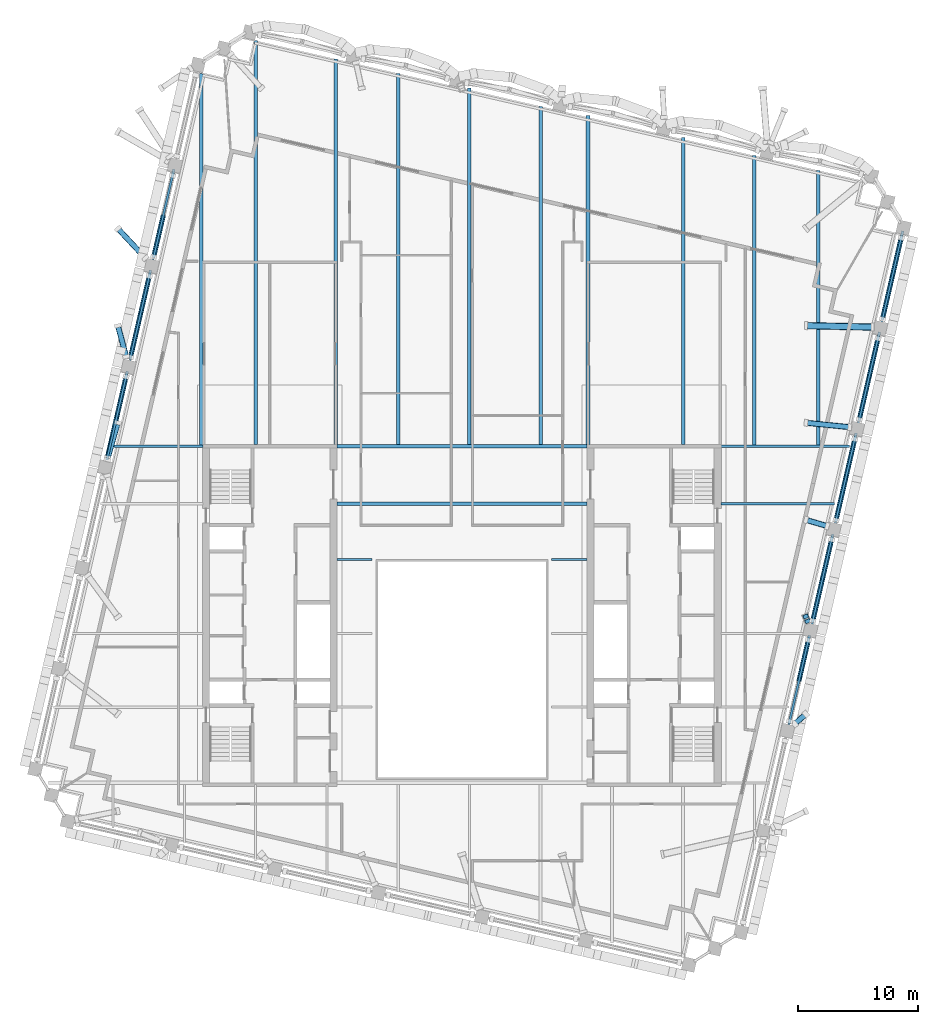
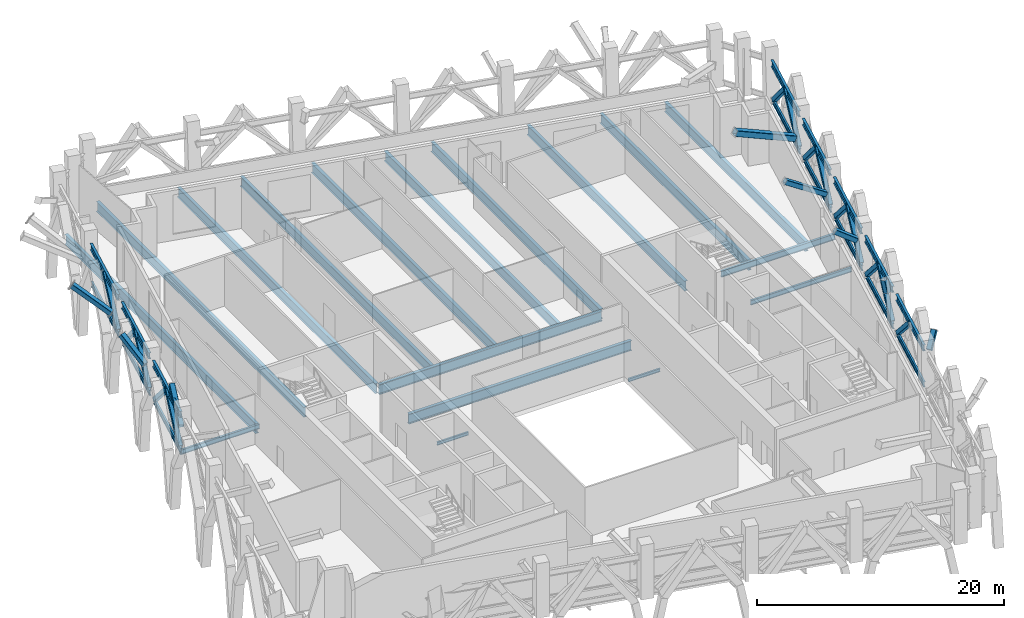
# One storey, part 3 of 19: 33 beams, 22 members.
"""IFC4 building model written with IfcOpenShell, lengths in metres."""

from ifc_helpers import new_model, si_unit, direction, frame, origin, origin_2d, place, context, subcontext, project, spatial, hollow_rectangle, i_section, extrude, material, material_profile, profile_set, type_object, element, save


model = new_model("IFC4")

# Units and contexts
model_context = context("Model", 3, precision=1e-05, world=origin(), true_north=direction((0.0, 1.0)))
body_context = subcontext(model_context, "Body", "Model", "MODEL_VIEW")
ifc_project = project(units=[si_unit("LENGTHUNIT", "METRE"), si_unit("AREAUNIT", "SQUARE_METRE"), si_unit("VOLUMEUNIT", "CUBIC_METRE"), si_unit("PLANEANGLEUNIT", "RADIAN"), si_unit("MASSUNIT", "GRAM", prefix="KILO")], contexts=[model_context])

# Site, building, storey
site_placement = place(None, origin())
site = spatial("IfcSite", under=ifc_project, at=site_placement, CompositionType="ELEMENT")
building_placement = place(site_placement, origin())
building = spatial("IfcBuilding", under=site, at=building_placement, Name="Ogive Exchange Tower", CompositionType="ELEMENT")
storey_placement = place(building_placement, frame((0.0, 0.0, 297.60009765625)))
storey = spatial("IfcBuildingStorey", under=building, at=storey_placement, Name="L65", CompositionType="ELEMENT", Elevation=297.60009765625)

# Beams
ifc_material_1 = material(Name="Steel ASTM A992 Gr50", Category="steel")
ifc_material_profile_1 = material_profile(ifc_material_1, i_section(OverallWidth=0.1669921875, OverallDepth=0.535888671875, WebThickness=0.01025390625, FlangeThickness=0.0166015625, at=origin_2d()), Name="W530x85")
ifc_profile_set_1 = profile_set([ifc_material_profile_1], Name="Steel ASTM A992 Gr50")
beam_type_1 = type_object("IfcBeamType", Name="Belt truss bottom chord W530x85", PredefinedType="BEAM", material=ifc_profile_set_1)
for number, where, z_axis, x_axis, name in (
    (1, (27.220947265625, 2.377685546875, 0.39990234375), (0.224939989916, 0.974372619144, 0.0), (-0.974372619144, 0.224939989916, 0.0), "Belt truss bottom chord 11"),
    (2, (29.15380859375, 10.749755859375, 0.39990234375), (0.224939989916, 0.974372619144, 0.0), (-0.974372619144, 0.224939989916, 0.0), "Belt truss bottom chord 12"),
):
    element("IfcBeam", number, at=place(storey_placement, frame(where, z_axis=z_axis, x_axis=x_axis)), inside=storey, type_object=beam_type_1, Name=name, PredefinedType="BEAM", context=body_context, shape_type="SweptSolid", body=[
        extrude(i_section(OverallWidth=0.1669921875, OverallDepth=0.535888671875, WebThickness=0.01025390625, FlangeThickness=0.0166015625, at=origin_2d()), origin(), (0.0, 0.0, 1.0), 7.532470703125),
    ])
for number, where, z_axis, x_axis, name in (
    (3, (31.086669921875, 19.121826171875, 0.39990234375), (0.224947094069, 0.974370979078, 0.0), (-0.974370979078, 0.224947094069, 0.0), "Belt truss bottom chord 13"),
    (4, (33.019287109375, 27.493896484375, 0.39990234375), (0.224977866715, 0.974363874273, 0.0), (-0.974363874273, 0.224977866715, 0.0), "Belt truss bottom chord 14"),
    (5, (34.952392578125, 35.86572265625, 0.39990234375), (0.224947094069, 0.974370979078, 0.0), (-0.974370979078, 0.224947094069, 0.0), "Belt truss bottom chord 15"),
    (6, (-24.040771484375, 48.3974609375, 0.39990234375), (-0.224947094069, -0.974370979078, 0.0), (0.974370979078, -0.224947094069, 0.0), "Belt truss bottom chord 27"),
    (7, (-25.973388671875, 40.025390625, 0.39990234375), (-0.224977866715, -0.974363874273, 0.0), (0.974363874273, -0.224977866715, 0.0), "Belt truss bottom chord 28"),
    (8, (-27.90625, 31.653564453125, 0.39990234375), (-0.224947094069, -0.974370979078, 0.0), (0.974370979078, -0.224947094069, 0.0), "Belt truss bottom chord 29"),
):
    element("IfcBeam", number, at=place(storey_placement, frame(where, z_axis=z_axis, x_axis=x_axis)), inside=storey, type_object=beam_type_1, Name=name, PredefinedType="BEAM", context=body_context, shape_type="SweptSolid", body=[
        extrude(i_section(OverallWidth=0.1669921875, OverallDepth=0.535888671875, WebThickness=0.01025390625, FlangeThickness=0.0166015625, at=origin_2d()), origin(), (0.0, 0.0, 1.0), 7.5322265625),
    ])

# Members
ifc_material_2 = material(Name="Steel ASTM A1085 Gr A", Category="steel")
ifc_material_profile_2 = material_profile(ifc_material_2, hollow_rectangle(XDim=0.406005859375, YDim=0.406005859375, WallThickness=0.01904296875, InnerFilletRadius=0.01904296875, OuterFilletRadius=0.0380859375, at=origin_2d()), Name="HSS406.4x406.4x19")
ifc_profile_set_2 = profile_set([ifc_material_profile_2], Name="Steel ASTM A1085 Gr A")
member_type_1 = type_object("IfcMemberType", Name="Belt truss diagonal HSS406.4x406.4x19", PredefinedType="BRACE", material=ifc_profile_set_2)
member_1_placement = place(storey_placement, frame((28.84912109375, 9.430419921875, 0.685302734375), z_axis=(-0.161405912836, -0.699164700993, 0.696503303788), x_axis=(0.974372806842, -0.224939176859, 0.0)))
element("IfcMember", 9, at=member_1_placement, inside=storey, type_object=member_type_1, Name="Belt truss diagonal 11b", PredefinedType="BRACE", context=body_context, shape_type="SweptSolid", body=[
    extrude(hollow_rectangle(XDim=0.406005859375, YDim=0.406005859375, WallThickness=0.01904296875, InnerFilletRadius=0.01904296875, OuterFilletRadius=0.0380859375, at=origin_2d()), origin(), (0.0, 0.0, 1.0), 4.678466796875),
])
member_2_placement = place(storey_placement, frame((29.224853515625, 11.057373046875, 0.6845703125), z_axis=(0.166965815077, 0.723367976711, 0.669971034348), x_axis=(-0.974380940806, 0.224903939924, 0.0)))
element("IfcMember", 10, at=member_2_placement, inside=storey, type_object=member_type_1, Name="Belt truss diagonal 12a", PredefinedType="BRACE", context=body_context, shape_type="SweptSolid", body=[
    extrude(hollow_rectangle(XDim=0.406005859375, YDim=0.406005859375, WallThickness=0.01904296875, InnerFilletRadius=0.01904296875, OuterFilletRadius=0.0380859375, at=origin_2d()), origin(), (0.0, 0.0, 1.0), 4.86474609375),
])
member_3_placement = place(storey_placement, frame((30.78271484375, 17.805908203125, 0.685302734375), z_axis=(-0.16041515478, -0.694817179905, 0.701067803159), x_axis=(0.97436884472, -0.224956338961, 0.0)))
element("IfcMember", 11, at=member_3_placement, inside=storey, type_object=member_type_1, Name="Belt truss diagonal 12b", PredefinedType="BRACE", context=body_context, shape_type="SweptSolid", body=[
    extrude(hollow_rectangle(XDim=0.406005859375, YDim=0.406005859375, WallThickness=0.01904296875, InnerFilletRadius=0.01904296875, OuterFilletRadius=0.0380859375, at=origin_2d()), origin(), (0.0, 0.0, 1.0), 4.64794921875),
])
member_4_placement = place(storey_placement, frame((31.158447265625, 19.4326171875, 0.6845703125), z_axis=(0.167878035348, 0.727155707607, 0.665628681881), x_axis=(-0.974369796791, 0.224952215153, 0.0)))
element("IfcMember", 12, at=member_4_placement, inside=storey, type_object=member_type_1, Name="Belt truss diagonal 13a", PredefinedType="BRACE", context=body_context, shape_type="SweptSolid", body=[
    extrude(hollow_rectangle(XDim=0.406005859375, YDim=0.406005859375, WallThickness=0.01904296875, InnerFilletRadius=0.01904296875, OuterFilletRadius=0.0380859375, at=origin_2d()), origin(), (0.0, 0.0, 1.0), 4.896484375),
])
member_5_placement = place(storey_placement, frame((32.716552734375, 26.181396484375, 0.685546875), z_axis=(-0.159404834236, -0.690437058137, 0.70561091798), x_axis=(0.974368555414, -0.224957592049, 0.0)))
element("IfcMember", 13, at=member_5_placement, inside=storey, type_object=member_type_1, Name="Belt truss diagonal 13b", PredefinedType="BRACE", context=body_context, shape_type="SweptSolid", body=[
    extrude(hollow_rectangle(XDim=0.406005859375, YDim=0.406005859375, WallThickness=0.01904296875, InnerFilletRadius=0.01904296875, OuterFilletRadius=0.0380859375, at=origin_2d()), origin(), (0.0, 0.0, 1.0), 4.61767578125),
])
member_6_placement = place(storey_placement, frame((33.092041015625, 27.80810546875, 0.684326171875), z_axis=(0.168725327465, 0.730829347061, 0.661377524071), x_axis=(-0.974370041966, 0.224951153185, 0.0)))
element("IfcMember", 14, at=member_6_placement, inside=storey, type_object=member_type_1, Name="Belt truss diagonal 14a", PredefinedType="BRACE", context=body_context, shape_type="SweptSolid", body=[
    extrude(hollow_rectangle(XDim=0.406005859375, YDim=0.406005859375, WallThickness=0.01904296875, InnerFilletRadius=0.01904296875, OuterFilletRadius=0.0380859375, at=origin_2d()), origin(), (0.0, 0.0, 1.0), 4.928466796875),
])
member_7_placement = place(storey_placement, frame((34.650146484375, 34.556884765625, 0.685791015625), z_axis=(-0.158374582098, -0.685970552163, 0.710184407961), x_axis=(0.97436825852, -0.224958877995, 0.0)))
element("IfcMember", 15, at=member_7_placement, inside=storey, type_object=member_type_1, Name="Belt truss diagonal 14b", PredefinedType="BRACE", context=body_context, shape_type="SweptSolid", body=[
    extrude(hollow_rectangle(XDim=0.406005859375, YDim=0.406005859375, WallThickness=0.01904296875, InnerFilletRadius=0.01904296875, OuterFilletRadius=0.0380859375, at=origin_2d()), origin(), (0.0, 0.0, 1.0), 4.587646484375),
])
member_8_placement = place(storey_placement, frame((35.025634765625, 36.18359375, 0.684326171875), z_axis=(0.169555726509, 0.734478985978, 0.657108419338), x_axis=(-0.974373585495, 0.224935803929, 0.0)))
element("IfcMember", 16, at=member_8_placement, inside=storey, type_object=member_type_1, Name="Belt truss diagonal 15a", PredefinedType="BRACE", context=body_context, shape_type="SweptSolid", body=[
    extrude(hollow_rectangle(XDim=0.406005859375, YDim=0.406005859375, WallThickness=0.01904296875, InnerFilletRadius=0.01904296875, OuterFilletRadius=0.0380859375, at=origin_2d()), origin(), (0.0, 0.0, 1.0), 4.96044921875),
])
member_9_placement = place(storey_placement, frame((36.583740234375, 42.9326171875, 0.685791015625), z_axis=(-0.157317979124, -0.681389857827, 0.714813902421), x_axis=(0.974367953736, -0.224960198107, 0.0)))
element("IfcMember", 17, at=member_9_placement, inside=storey, type_object=member_type_1, Name="Belt truss diagonal 15b", PredefinedType="BRACE", context=body_context, shape_type="SweptSolid", body=[
    extrude(hollow_rectangle(XDim=0.406005859375, YDim=0.406005859375, WallThickness=0.01904296875, InnerFilletRadius=0.01904296875, OuterFilletRadius=0.0380859375, at=origin_2d()), origin(), (0.0, 0.0, 1.0), 4.557861328125),
])
member_10_placement = place(storey_placement, frame((-25.66259765625, 41.372802734375, 0.684326171875), z_axis=(0.168773454288, 0.730823237779, 0.661371995363), x_axis=(-0.974355563925, 0.225013855236, 0.0)))
element("IfcMember", 18, at=member_10_placement, inside=storey, type_object=member_type_1, Name="Belt truss diagonal 27b", PredefinedType="BRACE", context=body_context, shape_type="SweptSolid", body=[
    extrude(hollow_rectangle(XDim=0.406005859375, YDim=0.406005859375, WallThickness=0.01904296875, InnerFilletRadius=0.01904296875, OuterFilletRadius=0.0380859375, at=origin_2d()), origin(), (0.0, 0.0, 1.0), 4.928466796875),
])
member_11_placement = place(storey_placement, frame((-26.0380859375, 39.74609375, 0.685546875), z_axis=(-0.159399015447, -0.690464723627, 0.705585160913), x_axis=(0.974372330851, -0.224941238707, 0.0)))
element("IfcMember", 19, at=member_11_placement, inside=storey, type_object=member_type_1, Name="Belt truss diagonal 28a", PredefinedType="BRACE", context=body_context, shape_type="SweptSolid", body=[
    extrude(hollow_rectangle(XDim=0.406005859375, YDim=0.406005859375, WallThickness=0.01904296875, InnerFilletRadius=0.01904296875, OuterFilletRadius=0.0380859375, at=origin_2d()), origin(), (0.0, 0.0, 1.0), 4.617919921875),
])
member_12_placement = place(storey_placement, frame((-27.59619140625, 32.997314453125, 0.6845703125), z_axis=(0.167884122032, 0.727132210156, 0.665652815304), x_axis=(-0.974366415596, 0.224966860133, 0.0)))
element("IfcMember", 20, at=member_12_placement, inside=storey, type_object=member_type_1, Name="Belt truss diagonal 28b", PredefinedType="BRACE", context=body_context, shape_type="SweptSolid", body=[
    extrude(hollow_rectangle(XDim=0.406005859375, YDim=0.406005859375, WallThickness=0.01904296875, InnerFilletRadius=0.01904296875, OuterFilletRadius=0.0380859375, at=origin_2d()), origin(), (0.0, 0.0, 1.0), 4.896240234375),
])
member_13_placement = place(storey_placement, frame((-27.9716796875, 31.37060546875, 0.685302734375), z_axis=(-0.160409300346, -0.69484434652, 0.701042217325), x_axis=(0.974372571888, -0.224940194614, 0.0)))
element("IfcMember", 21, at=member_13_placement, inside=storey, type_object=member_type_1, Name="Belt truss diagonal 29a", PredefinedType="BRACE", context=body_context, shape_type="SweptSolid", body=[
    extrude(hollow_rectangle(XDim=0.406005859375, YDim=0.406005859375, WallThickness=0.01904296875, InnerFilletRadius=0.01904296875, OuterFilletRadius=0.0380859375, at=origin_2d()), origin(), (0.0, 0.0, 1.0), 4.648193359375),
])
member_14_placement = place(storey_placement, frame((-29.52978515625, 24.621826171875, 0.6845703125), z_axis=(0.167014600521, 0.723361914634, 0.669965419756), x_axis=(-0.974366124994, 0.224968118772, 0.0)))
element("IfcMember", 22, at=member_14_placement, inside=storey, type_object=member_type_1, Name="Belt truss diagonal 29b", PredefinedType="BRACE", context=body_context, shape_type="SweptSolid", body=[
    extrude(hollow_rectangle(XDim=0.406005859375, YDim=0.406005859375, WallThickness=0.01904296875, InnerFilletRadius=0.01904296875, OuterFilletRadius=0.0380859375, at=origin_2d()), origin(), (0.0, 0.0, 1.0), 4.86474609375),
])

# Beams
ifc_material_profile_3 = material_profile(ifc_material_1, i_section(OverallWidth=0.22900390625, OverallDepth=0.612060546875, WebThickness=0.011962890625, FlangeThickness=0.01953125, at=origin_2d()), Name="W610x125")
ifc_profile_set_3 = profile_set([ifc_material_profile_3], Name="Steel ASTM A992 Gr50")
beam_type_2 = type_object("IfcBeamType", Name="Belt truss top chord W610x125", PredefinedType="BEAM", material=ifc_profile_set_3)
beam_1_placement = place(storey_placement, frame((27.24169921875, 2.467529296875, 3.94384765625), z_axis=(0.224932444649, 0.974374360985, 0.0), x_axis=(-0.974374360985, 0.224932444649, 0.0)))
element("IfcBeam", 23, at=beam_1_placement, inside=storey, type_object=beam_type_2, Name="Belt truss top chord 11", PredefinedType="BEAM", context=body_context, shape_type="SweptSolid", body=[
    extrude(i_section(OverallWidth=0.22900390625, OverallDepth=0.612060546875, WebThickness=0.011962890625, FlangeThickness=0.01953125, at=origin_2d()), origin(), (0.0, 0.0, 1.0), 7.578125),
])
for number, where, z_axis, x_axis, name in (
    (24, (29.184814453125, 10.88427734375, 3.94384765625), (0.224963030406, 0.974367299816, 0.0), (-0.974367299816, 0.224963030406, 0.0), "Belt truss top chord 12"),
    (25, (31.1279296875, 19.30126953125, 3.94384765625), (0.224963030406, 0.974367299816, 0.0), (-0.974367299816, 0.224963030406, 0.0), "Belt truss top chord 13"),
):
    element("IfcBeam", number, at=place(storey_placement, frame(where, z_axis=z_axis, x_axis=x_axis)), inside=storey, type_object=beam_type_2, Name=name, PredefinedType="BEAM", context=body_context, shape_type="SweptSolid", body=[
        extrude(i_section(OverallWidth=0.22900390625, OverallDepth=0.612060546875, WebThickness=0.011962890625, FlangeThickness=0.01953125, at=origin_2d()), origin(), (0.0, 0.0, 1.0), 7.578369140625),
    ])
beam_2_placement = place(storey_placement, frame((33.0712890625, 27.718017578125, 3.94384765625), z_axis=(0.224932444649, 0.974374360985, 0.0), x_axis=(-0.974374360985, 0.224932444649, 0.0)))
element("IfcBeam", 26, at=beam_2_placement, inside=storey, type_object=beam_type_2, Name="Belt truss top chord 14", PredefinedType="BEAM", context=body_context, shape_type="SweptSolid", body=[
    extrude(i_section(OverallWidth=0.22900390625, OverallDepth=0.612060546875, WebThickness=0.011962890625, FlangeThickness=0.01953125, at=origin_2d()), origin(), (0.0, 0.0, 1.0), 7.578125),
])
beam_3_placement = place(storey_placement, frame((35.014404296875, 36.135009765625, 3.94384765625), z_axis=(0.224939505604, 0.97437273095, 0.0), x_axis=(-0.97437273095, 0.224939505604, 0.0)))
element("IfcBeam", 27, at=beam_3_placement, inside=storey, type_object=beam_type_2, Name="Belt truss top chord 15", PredefinedType="BEAM", context=body_context, shape_type="SweptSolid", body=[
    extrude(i_section(OverallWidth=0.22900390625, OverallDepth=0.612060546875, WebThickness=0.011962890625, FlangeThickness=0.01953125, at=origin_2d()), origin(), (0.0, 0.0, 1.0), 7.577880859375),
])
beam_4_placement = place(storey_placement, frame((-23.978515625, 48.66650390625, 3.94384765625), z_axis=(-0.224970092219, -0.97436566935, 0.0), x_axis=(0.97436566935, -0.224970092219, 0.0)))
element("IfcBeam", 28, at=beam_4_placement, inside=storey, type_object=beam_type_2, Name="Belt truss top chord 27", PredefinedType="BEAM", context=body_context, shape_type="SweptSolid", body=[
    extrude(i_section(OverallWidth=0.22900390625, OverallDepth=0.612060546875, WebThickness=0.011962890625, FlangeThickness=0.01953125, at=origin_2d()), origin(), (0.0, 0.0, 1.0), 7.578125),
])
beam_5_placement = place(storey_placement, frame((-25.921630859375, 40.249755859375, 3.94384765625), z_axis=(-0.224963030406, -0.974367299816, 0.0), x_axis=(0.974367299816, -0.224963030406, 0.0)))
element("IfcBeam", 29, at=beam_5_placement, inside=storey, type_object=beam_type_2, Name="Belt truss top chord 28", PredefinedType="BEAM", context=body_context, shape_type="SweptSolid", body=[
    extrude(i_section(OverallWidth=0.22900390625, OverallDepth=0.612060546875, WebThickness=0.011962890625, FlangeThickness=0.01953125, at=origin_2d()), origin(), (0.0, 0.0, 1.0), 7.578369140625),
])
beam_6_placement = place(storey_placement, frame((-27.864990234375, 31.8330078125, 3.94384765625), z_axis=(-0.224932444649, -0.974374360985, 0.0), x_axis=(0.974374360985, -0.224932444649, 0.0)))
element("IfcBeam", 30, at=beam_6_placement, inside=storey, type_object=beam_type_2, Name="Belt truss top chord 29", PredefinedType="BEAM", context=body_context, shape_type="SweptSolid", body=[
    extrude(i_section(OverallWidth=0.22900390625, OverallDepth=0.612060546875, WebThickness=0.011962890625, FlangeThickness=0.01953125, at=origin_2d()), origin(), (0.0, 0.0, 1.0), 7.578125),
])

# Members
ifc_material_profile_4 = material_profile(ifc_material_2, hollow_rectangle(XDim=0.45703125, YDim=0.45703125, WallThickness=0.01904296875, InnerFilletRadius=0.01904296875, OuterFilletRadius=0.0380859375, at=origin_2d()), Name="HSS457.2x457.2x19")
ifc_profile_set_4 = profile_set([ifc_material_profile_4], Name="Steel ASTM A1085 Gr A")
member_type_2 = type_object("IfcMemberType", Name="Block-change strut HSS457.2x457.2x19", PredefinedType="STRUT", material=ifc_profile_set_4)
member_15_placement = place(storey_placement, frame((27.710693359375, 2.460693359375, 3.60107421875), z_axis=(0.545856001451, 0.479351393679, 0.687214280307), x_axis=(-0.659850294107, 0.751397091668, 0.0)))
element("IfcMember", 31, at=member_15_placement, inside=storey, type_object=member_type_2, Name="Block-change strut 9", PredefinedType="STRUT", context=body_context, shape_type="SweptSolid", body=[
    extrude(hollow_rectangle(XDim=0.45703125, YDim=0.45703125, WallThickness=0.01904296875, InnerFilletRadius=0.01904296875, OuterFilletRadius=0.0380859375, at=origin_2d()), origin(), (0.0, 0.0, 1.0), 1.696044921875),
])
member_16_placement = place(storey_placement, frame((28.771240234375, 11.073974609375, 3.7138671875), z_axis=(-0.099372231238, 0.243932246639, 0.96468762753), x_axis=(-0.926102405422, -0.377272228864, 0.0)))
element("IfcMember", 32, at=member_16_placement, inside=storey, type_object=member_type_2, Name="Block-change strut 10", PredefinedType="STRUT", context=body_context, shape_type="SweptSolid", body=[
    extrude(hollow_rectangle(XDim=0.45703125, YDim=0.45703125, WallThickness=0.01904296875, InnerFilletRadius=0.01904296875, OuterFilletRadius=0.0380859375, at=origin_2d()), origin(), (0.0, 0.0, 1.0), 1.194091796875),
])
member_17_placement = place(storey_placement, frame((30.42626953125, 18.93505859375, 3.571044921875), z_axis=(-0.80781143381, 0.237413231068, 0.539514267763), x_axis=(-0.281971341325, -0.959422827887, 0.0)))
element("IfcMember", 33, at=member_17_placement, inside=storey, type_object=member_type_2, Name="Block-change strut 11", PredefinedType="STRUT", context=body_context, shape_type="SweptSolid", body=[
    extrude(hollow_rectangle(XDim=0.45703125, YDim=0.45703125, WallThickness=0.01904296875, InnerFilletRadius=0.01904296875, OuterFilletRadius=0.0380859375, at=origin_2d()), origin(), (0.0, 0.0, 1.0), 2.173828125),
])
member_18_placement = place(storey_placement, frame((32.2978515625, 27.172607421875, 2.482421875), z_axis=(-0.845568049822, 0.085837537471, 0.526921806611), x_axis=(-0.100995584376, -0.994886873939, 0.0)))
element("IfcMember", 34, at=member_18_placement, inside=storey, type_object=member_type_2, Name="Block-change strut 12", PredefinedType="STRUT", context=body_context, shape_type="SweptSolid", body=[
    extrude(hollow_rectangle(XDim=0.45703125, YDim=0.45703125, WallThickness=0.01904296875, InnerFilletRadius=0.01904296875, OuterFilletRadius=0.0380859375, at=origin_2d()), origin(), (0.0, 0.0, 1.0), 4.2890625),
])
member_19_placement = place(storey_placement, frame((-26.356689453125, 41.25830078125, 2.67236328125), z_axis=(-0.580057076799, 0.621196758055, 0.526923500555), x_axis=(-0.730894768922, -0.682490173381, 0.0)))
element("IfcMember", 35, at=member_19_placement, inside=storey, type_object=member_type_2, Name="Block-change strut 24", PredefinedType="STRUT", context=body_context, shape_type="SweptSolid", body=[
    extrude(hollow_rectangle(XDim=0.45703125, YDim=0.45703125, WallThickness=0.01904296875, InnerFilletRadius=0.01904296875, OuterFilletRadius=0.0380859375, at=origin_2d()), origin(), (0.0, 0.0, 1.0), 3.9287109375),
])
member_20_placement = place(storey_placement, frame((-27.95458984375, 33.044921875, 3.096923828125), z_axis=(-0.22091418571, 0.820728250448, 0.526879551197), x_axis=(-0.965630853249, -0.259917400827, 0.0)))
element("IfcMember", 36, at=member_20_placement, inside=storey, type_object=member_type_2, Name="Block-change strut 25", PredefinedType="STRUT", context=body_context, shape_type="SweptSolid", body=[
    extrude(hollow_rectangle(XDim=0.45703125, YDim=0.45703125, WallThickness=0.01904296875, InnerFilletRadius=0.01904296875, OuterFilletRadius=0.0380859375, at=origin_2d()), origin(), (0.0, 0.0, 1.0), 3.123046875),
])
member_21_placement = place(storey_placement, frame((-29.533935546875, 24.46337890625, 2.769287109375), z_axis=(0.234452080868, 0.816931193904, 0.526930399771), x_axis=(-0.961199062062, 0.275855692512, 0.0)))
element("IfcMember", 37, at=member_21_placement, inside=storey, type_object=member_type_2, Name="Block-change strut 26", PredefinedType="STRUT", context=body_context, shape_type="SweptSolid", body=[
    extrude(hollow_rectangle(XDim=0.45703125, YDim=0.45703125, WallThickness=0.01904296875, InnerFilletRadius=0.01904296875, OuterFilletRadius=0.0380859375, at=origin_2d()), origin(), (0.0, 0.0, 1.0), 3.74462890625),
])
ifc_material_profile_5 = material_profile(ifc_material_2, hollow_rectangle(XDim=0.55908203125, YDim=0.55908203125, WallThickness=0.022216796875, InnerFilletRadius=0.022216796875, OuterFilletRadius=0.04443359375, at=origin_2d()), Name="HSS558.8x558.8x22.2")
ifc_profile_set_5 = profile_set([ifc_material_profile_5], Name="Steel ASTM A1085 Gr A")
member_type_3 = type_object("IfcMemberType", Name="Block-change strut HSS558.8x558.8x22.2", PredefinedType="STRUT", material=ifc_profile_set_5)
member_22_placement = place(storey_placement, frame((34.19287109375, 35.5078125, 2.30322265625), z_axis=(-0.918084814782, 0.020019276115, 0.395878139648), x_axis=(-0.021800293523, -0.999762345361, 0.0)))
element("IfcMember", 38, at=member_22_placement, inside=storey, type_object=member_type_3, Name="Block-change strut 13", PredefinedType="STRUT", context=body_context, shape_type="SweptSolid", body=[
    extrude(hollow_rectangle(XDim=0.55908203125, YDim=0.55908203125, WallThickness=0.022216796875, InnerFilletRadius=0.022216796875, OuterFilletRadius=0.04443359375, at=origin_2d()), origin(), (0.0, 0.0, 1.0), 6.01220703125),
])

# Beams
ifc_material_profile_6 = material_profile(ifc_material_1, i_section(OverallWidth=0.300048828125, OverallDepth=0.97998046875, WebThickness=0.0166015625, FlangeThickness=0.026123046875, at=origin_2d()), Name="W1000x249")
ifc_profile_set_6 = profile_set([ifc_material_profile_6], Name="Steel ASTM A992 Gr50")
beam_type_3 = type_object("IfcBeamType", Name="Floor beam W1000x249", PredefinedType="JOIST", material=ifc_profile_set_6)
beam_7_placement = place(storey_placement, frame((-10.419921875, 20.797607421875, -0.940185546875), z_axis=(1.0, 0.0, 0.0), x_axis=(0.0, 1.0, 0.0)))
element("IfcBeam", 39, at=beam_7_placement, inside=storey, type_object=beam_type_3, Name="Floor beam", PredefinedType="JOIST", context=body_context, shape_type="SweptSolid", body=[
    extrude(i_section(OverallWidth=0.300048828125, OverallDepth=0.97998046875, WebThickness=0.0166015625, FlangeThickness=0.026123046875, at=origin_2d()), origin(), (0.0, 0.0, 1.0), 20.83984375),
])
beam_8_placement = place(storey_placement, frame((-21.712646484375, 25.6904296875, -0.940185546875), z_axis=(0.0, 1.0, 0.0), x_axis=(-1.0, 0.0, 0.0)))
element("IfcBeam", 40, at=beam_8_placement, inside=storey, type_object=beam_type_3, Name="Floor beam", PredefinedType="JOIST", context=body_context, shape_type="SweptSolid", body=[
    extrude(i_section(OverallWidth=0.300048828125, OverallDepth=0.97998046875, WebThickness=0.0166015625, FlangeThickness=0.026123046875, at=origin_2d()), origin(), (0.0, 0.0, 1.0), 30.940673828125),
])
beam_9_placement = place(storey_placement, frame((-17.179443359375, 25.75, -0.940185546875), z_axis=(0.0, 1.0, 0.0), x_axis=(-1.0, 0.0, 0.0)))
element("IfcBeam", 41, at=beam_9_placement, inside=storey, type_object=beam_type_3, Name="Floor beam", PredefinedType="JOIST", context=body_context, shape_type="SweptSolid", body=[
    extrude(i_section(OverallWidth=0.300048828125, OverallDepth=0.97998046875, WebThickness=0.0166015625, FlangeThickness=0.026123046875, at=origin_2d()), origin(), (0.0, 0.0, 1.0), 33.62109375),
])
beam_10_placement = place(storey_placement, frame((-10.5, 25.75, -0.940185546875), z_axis=(0.0, 1.0, 0.0), x_axis=(-1.0, 0.0, 0.0)))
element("IfcBeam", 42, at=beam_10_placement, inside=storey, type_object=beam_type_3, Name="Floor beam", PredefinedType="JOIST", context=body_context, shape_type="SweptSolid", body=[
    extrude(i_section(OverallWidth=0.300048828125, OverallDepth=0.97998046875, WebThickness=0.0166015625, FlangeThickness=0.026123046875, at=origin_2d()), origin(), (0.0, 0.0, 1.0), 32.0791015625),
])
beam_11_placement = place(storey_placement, frame((-5.3134765625, 25.7451171875, -0.940185546875), z_axis=(0.0, 1.0, 0.0), x_axis=(-1.0, 0.0, 0.0)))
element("IfcBeam", 43, at=beam_11_placement, inside=storey, type_object=beam_type_3, Name="Floor beam", PredefinedType="JOIST", context=body_context, shape_type="SweptSolid", body=[
    extrude(i_section(OverallWidth=0.300048828125, OverallDepth=0.97998046875, WebThickness=0.0166015625, FlangeThickness=0.026123046875, at=origin_2d()), origin(), (0.0, 0.0, 1.0), 30.886474609375),
])
beam_12_placement = place(storey_placement, frame((0.61962890625, 25.7451171875, -0.940185546875), z_axis=(0.0, 1.0, 0.0), x_axis=(-1.0, 0.0, 0.0)))
element("IfcBeam", 44, at=beam_12_placement, inside=storey, type_object=beam_type_3, Name="Floor beam", PredefinedType="JOIST", context=body_context, shape_type="SweptSolid", body=[
    extrude(i_section(OverallWidth=0.300048828125, OverallDepth=0.97998046875, WebThickness=0.0166015625, FlangeThickness=0.026123046875, at=origin_2d()), origin(), (0.0, 0.0, 1.0), 29.666748046875),
])
beam_13_placement = place(storey_placement, frame((6.552734375, 25.7451171875, -0.940185546875), z_axis=(0.0, 1.0, 0.0), x_axis=(-1.0, 0.0, 0.0)))
element("IfcBeam", 45, at=beam_13_placement, inside=storey, type_object=beam_type_3, Name="Floor beam", PredefinedType="JOIST", context=body_context, shape_type="SweptSolid", body=[
    extrude(i_section(OverallWidth=0.300048828125, OverallDepth=0.97998046875, WebThickness=0.0166015625, FlangeThickness=0.026123046875, at=origin_2d()), origin(), (0.0, 0.0, 1.0), 28.14697265625),
])
beam_14_placement = place(storey_placement, frame((10.5, 25.75, -0.940185546875), z_axis=(0.0, 1.0, 0.0), x_axis=(-1.0, 0.0, 0.0)))
element("IfcBeam", 46, at=beam_14_placement, inside=storey, type_object=beam_type_3, Name="Floor beam", PredefinedType="JOIST", context=body_context, shape_type="SweptSolid", body=[
    extrude(i_section(OverallWidth=0.300048828125, OverallDepth=0.97998046875, WebThickness=0.0166015625, FlangeThickness=0.026123046875, at=origin_2d()), origin(), (0.0, 0.0, 1.0), 27.380859375),
])
beam_15_placement = place(storey_placement, frame((18.418701171875, 25.75, -0.940185546875), z_axis=(0.0, 1.0, 0.0), x_axis=(-1.0, 0.0, 0.0)))
element("IfcBeam", 47, at=beam_15_placement, inside=storey, type_object=beam_type_3, Name="Floor beam", PredefinedType="JOIST", context=body_context, shape_type="SweptSolid", body=[
    extrude(i_section(OverallWidth=0.300048828125, OverallDepth=0.97998046875, WebThickness=0.0166015625, FlangeThickness=0.026123046875, at=origin_2d()), origin(), (0.0, 0.0, 1.0), 25.552490234375),
])
beam_16_placement = place(storey_placement, frame((24.351806640625, 25.708984375, -0.940185546875), z_axis=(0.0, 1.0, 0.0), x_axis=(-1.0, 0.0, 0.0)))
element("IfcBeam", 48, at=beam_16_placement, inside=storey, type_object=beam_type_3, Name="Floor beam", PredefinedType="JOIST", context=body_context, shape_type="SweptSolid", body=[
    extrude(i_section(OverallWidth=0.300048828125, OverallDepth=0.97998046875, WebThickness=0.0166015625, FlangeThickness=0.026123046875, at=origin_2d()), origin(), (0.0, 0.0, 1.0), 24.073974609375),
])
beam_17_placement = place(storey_placement, frame((29.684814453125, 25.708984375, -0.940185546875), z_axis=(0.0, 1.0, 0.0), x_axis=(-1.0, 0.0, 0.0)))
element("IfcBeam", 49, at=beam_17_placement, inside=storey, type_object=beam_type_3, Name="Floor beam", PredefinedType="JOIST", context=body_context, shape_type="SweptSolid", body=[
    extrude(i_section(OverallWidth=0.300048828125, OverallDepth=0.97998046875, WebThickness=0.0166015625, FlangeThickness=0.026123046875, at=origin_2d()), origin(), (0.0, 0.0, 1.0), 22.8427734375),
])
ifc_material_profile_7 = material_profile(ifc_material_1, i_section(OverallWidth=0.19091796875, OverallDepth=0.45703125, WebThickness=0.009033203125, FlangeThickness=0.014404296875, at=origin_2d()), Name="W460x74")
ifc_profile_set_7 = profile_set([ifc_material_profile_7], Name="Steel ASTM A992 Gr50")
beam_type_4 = type_object("IfcBeamType", Name="Floor beam W460x74", PredefinedType="JOIST", material=ifc_profile_set_7)
beam_18_placement = place(storey_placement, frame((21.580078125, 20.797607421875, -0.6787109375), z_axis=(1.0, 0.0, 0.0), x_axis=(0.0, 1.0, 0.0)))
element("IfcBeam", 50, at=beam_18_placement, inside=storey, type_object=beam_type_4, Name="Floor beam", PredefinedType="JOIST", context=body_context, shape_type="SweptSolid", body=[
    extrude(i_section(OverallWidth=0.19091796875, OverallDepth=0.45703125, WebThickness=0.009033203125, FlangeThickness=0.014404296875, at=origin_2d()), origin(), (0.0, 0.0, 1.0), 9.431640625),
])
ifc_material_profile_8 = material_profile(ifc_material_1, i_section(OverallWidth=0.300048828125, OverallDepth=0.97998046875, WebThickness=0.0166015625, FlangeThickness=0.026123046875, at=origin_2d()), Name="W1000x249")
ifc_profile_set_8 = profile_set([ifc_material_profile_8], Name="Steel ASTM A992 Gr50")
beam_type_5 = type_object("IfcBeamType", Name="Girder W1000x249", PredefinedType="BEAM", material=ifc_profile_set_8)
beam_19_placement = place(storey_placement, frame((-10.419921875, 25.594970703125, -0.940185546875), z_axis=(1.0, 0.0, 0.0), x_axis=(0.0, 1.0, 0.0)))
element("IfcBeam", 51, at=beam_19_placement, inside=storey, type_object=beam_type_5, Name="Header girder", PredefinedType="BEAM", context=body_context, shape_type="SweptSolid", body=[
    extrude(i_section(OverallWidth=0.300048828125, OverallDepth=0.97998046875, WebThickness=0.0166015625, FlangeThickness=0.026123046875, at=origin_2d()), origin(), (0.0, 0.0, 1.0), 20.83984375),
])
ifc_material_profile_9 = material_profile(ifc_material_1, i_section(OverallWidth=0.1650390625, OverallDepth=0.31005859375, WebThickness=0.005859375, FlangeThickness=0.009765625, at=origin_2d()), Name="W310x38.7")
ifc_profile_set_9 = profile_set([ifc_material_profile_9], Name="Steel ASTM A992 Gr50")
beam_type_6 = type_object("IfcBeamType", Name="Girder W310x38.7", PredefinedType="BEAM", material=ifc_profile_set_9)
for number, where, z_axis, x_axis, name in (
    (52, (-10.419921875, 16.155029296875, -0.60498046875), (1.0, 0.0, 0.0), (0.0, 1.0, 0.0), "Trimmer girder"),
    (53, (7.469970703125, 16.155029296875, -0.60498046875), (1.0, 0.0, 0.0), (0.0, 1.0, 0.0), "Trimmer girder"),
):
    element("IfcBeam", number, at=place(storey_placement, frame(where, z_axis=z_axis, x_axis=x_axis)), inside=storey, type_object=beam_type_6, Name=name, PredefinedType="BEAM", context=body_context, shape_type="SweptSolid", body=[
        extrude(i_section(OverallWidth=0.1650390625, OverallDepth=0.31005859375, WebThickness=0.005859375, FlangeThickness=0.009765625, at=origin_2d()), origin(), (0.0, 0.0, 1.0), 2.949951171875),
    ])
ifc_material_profile_10 = material_profile(ifc_material_1, i_section(OverallWidth=0.19091796875, OverallDepth=0.45703125, WebThickness=0.009033203125, FlangeThickness=0.014404296875, at=origin_2d()), Name="W460x74")
ifc_profile_set_10 = profile_set([ifc_material_profile_10], Name="Steel ASTM A992 Gr50")
beam_type_7 = type_object("IfcBeamType", Name="Girder W460x74", PredefinedType="BEAM", material=ifc_profile_set_10)
beam_20_placement = place(storey_placement, frame((-28.9931640625, 25.594970703125, -0.6787109375), z_axis=(1.0, 0.0, 0.0), x_axis=(0.0, 1.0, 0.0)))
element("IfcBeam", 54, at=beam_20_placement, inside=storey, type_object=beam_type_7, Name="Header girder", PredefinedType="BEAM", context=body_context, shape_type="SweptSolid", body=[
    extrude(i_section(OverallWidth=0.19091796875, OverallDepth=0.45703125, WebThickness=0.009033203125, FlangeThickness=0.014404296875, at=origin_2d()), origin(), (0.0, 0.0, 1.0), 7.4130859375),
])
ifc_material_profile_11 = material_profile(ifc_material_1, i_section(OverallWidth=0.22802734375, OverallDepth=0.60205078125, WebThickness=0.010498046875, FlangeThickness=0.014892578125, at=origin_2d()), Name="W610x101")
ifc_profile_set_11 = profile_set([ifc_material_profile_11], Name="Steel ASTM A992 Gr50")
beam_type_8 = type_object("IfcBeamType", Name="Girder W610x101", PredefinedType="BEAM", material=ifc_profile_set_11)
beam_21_placement = place(storey_placement, frame((21.580078125, 25.594970703125, -0.7509765625), z_axis=(1.0, 0.0, 0.0), x_axis=(0.0, 1.0, 0.0)))
element("IfcBeam", 55, at=beam_21_placement, inside=storey, type_object=beam_type_8, Name="Header girder", PredefinedType="BEAM", context=body_context, shape_type="SweptSolid", body=[
    extrude(i_section(OverallWidth=0.22802734375, OverallDepth=0.60205078125, WebThickness=0.010498046875, FlangeThickness=0.014892578125, at=origin_2d()), origin(), (0.0, 0.0, 1.0), 10.689208984375),
])

save(model, "model.ifc")
